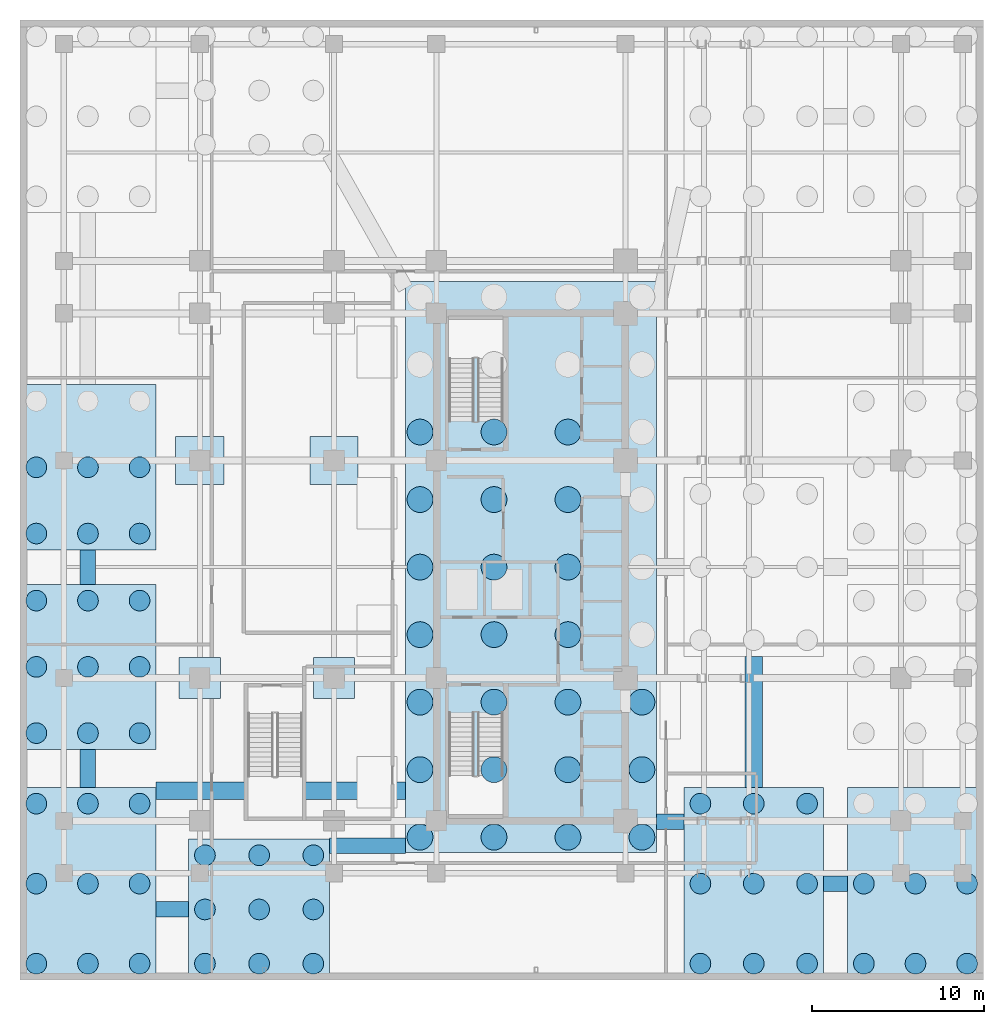
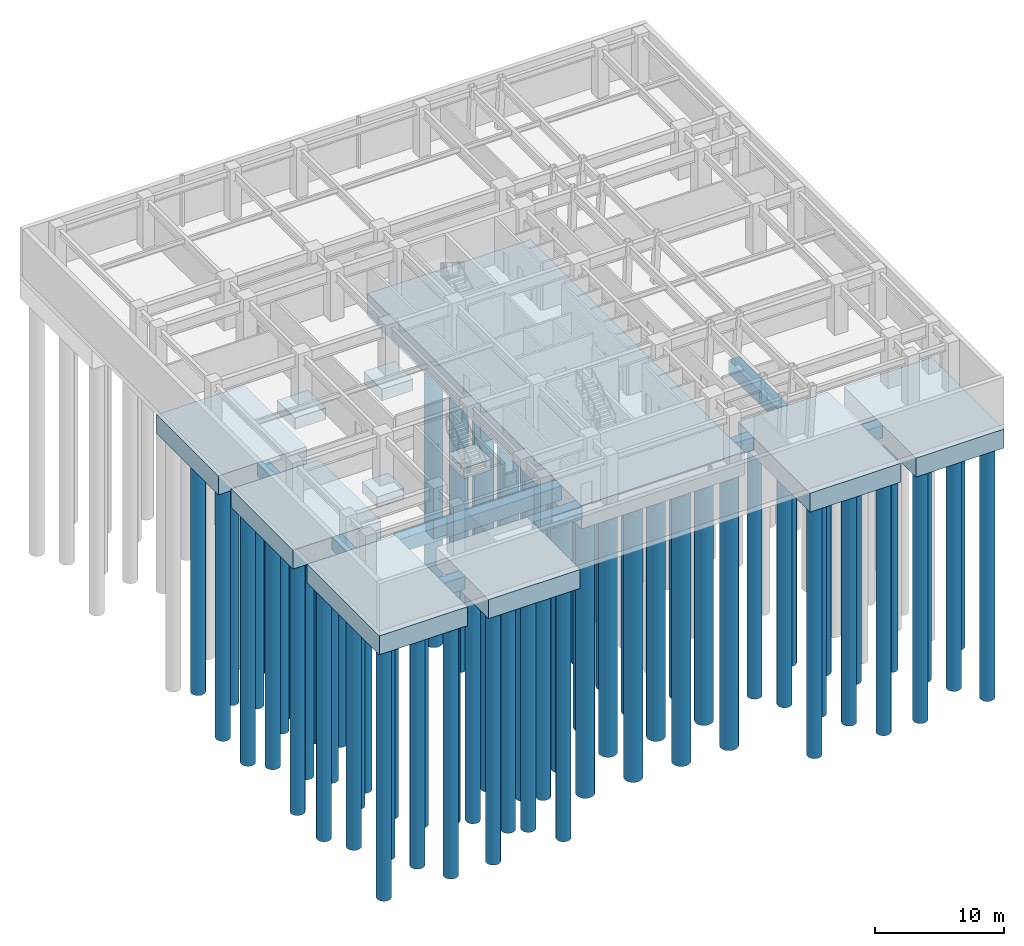
# One storey, part 1 of 13: 72 piles, 19 footings.
"""IFC4 building model written with IfcOpenShell, lengths in metres."""

import ifcopenshell
import ifcopenshell.guid

model = None  # the IFC model being written
_history = None  # IfcOwnerHistory: only IFC2X3 demands one
_inside = {}  # id of a spatial element -> (the spatial element, [elements in it])
_under = {}  # id of a project, library or spatial element -> (it, [spatial elements below it])
_declared = {}  # id of a project -> (the project, [libraries it declares])
_typed = {}  # id of a type object -> (the type object, [elements of that type])
_made_of = {}  # id of a material, layer set ... -> (it, [elements and type objects made of it])


def new_model(schema):
    """Start an empty IFC model of exactly this schema.

    Asked for "IFC4X3", IfcOpenShell would pick the latest addendum, in which some entities
    have other attributes; the version numbers below select the first issue.
    IFC2X3 requires an IfcOwnerHistory on every rooted entity: one is made here for all.
    """
    global model, _history
    if schema == "IFC4X3":
        model = ifcopenshell.file(schema_version=(4, 3, 0, 0))
    else:
        model = ifcopenshell.file(schema=schema)
    _inside.clear()
    _under.clear()
    _declared.clear()
    _typed.clear()
    _made_of.clear()
    _history = None
    if model.schema == "IFC2X3":
        org = make("IfcOrganization", Name="unknown")
        user = make(
            "IfcPersonAndOrganization",
            ThePerson=make("IfcPerson", FamilyName="unknown"),
            TheOrganization=org,
        )
        app = make(
            "IfcApplication",
            ApplicationDeveloper=org,
            Version="unknown",
            ApplicationFullName="unknown",
            ApplicationIdentifier="unknown",
        )
        _history = make(
            "IfcOwnerHistory",
            OwningUser=user,
            OwningApplication=app,
            ChangeAction="ADDED",
            CreationDate=0,
        )
    return model


def make(cls, **values):
    """One entity of the class cls with the attributes given. An attribute that is None is left unset."""
    return model.create_entity(
        cls, **{name: value for name, value in values.items() if value is not None}
    )


def rooted(cls, **values):
    """An entity with a GlobalId (a new one), such as an element, a storey or a relation."""
    return make(cls, GlobalId=ifcopenshell.guid.new(), OwnerHistory=_history, **values)


def si_unit(unit_type, name, prefix=None):
    """IfcSIUnit, for example si_unit("LENGTHUNIT", "METRE", prefix="MILLI")."""
    return make("IfcSIUnit", UnitType=unit_type, Prefix=prefix, Name=name)


def assignment(units):
    """IfcUnitAssignment: the units of a project."""
    return None if units is None else make("IfcUnitAssignment", Units=units)


def point(xyz):
    """IfcCartesianPoint."""
    return None if xyz is None else make("IfcCartesianPoint", Coordinates=xyz)


def direction(xyz):
    """IfcDirection."""
    return None if xyz is None else make("IfcDirection", DirectionRatios=xyz)


def frame(location, z_axis=None, x_axis=None):
    """IfcAxis2Placement3D, a coordinate frame: its origin and axes. An axis left out is left unset."""
    return make(
        "IfcAxis2Placement3D",
        Location=point(location),
        Axis=direction(z_axis),
        RefDirection=direction(x_axis),
    )


def frame_2d(location, x_axis=None):
    """IfcAxis2Placement2D, a coordinate frame in the plane: its origin and x axis."""
    return make(
        "IfcAxis2Placement2D", Location=point(location), RefDirection=direction(x_axis)
    )


def origin():
    """The frame at (0, 0, 0) with its axes left unset."""
    return frame((0.0, 0.0, 0.0))


def origin_2d():
    """The frame at (0, 0) in the plane with its x axis left unset."""
    return frame_2d((0.0, 0.0))


def place(relative_to, where):
    """IfcLocalPlacement: puts the frame where relative to a parent placement (None: the world)."""
    return make(
        "IfcLocalPlacement", PlacementRelTo=relative_to, RelativePlacement=where
    )


def context(
    kind, dimensions, precision=None, world=None, true_north=None, identifier=None
):
    """IfcGeometricRepresentationContext, for example the 3D "Model" context."""
    return make(
        "IfcGeometricRepresentationContext",
        ContextIdentifier=identifier,
        ContextType=kind,
        CoordinateSpaceDimension=dimensions,
        Precision=precision,
        WorldCoordinateSystem=world,
        TrueNorth=true_north,
    )


def subcontext(parent, identifier, kind, view, scale=None):
    """IfcGeometricRepresentationSubContext, for example "Body" below "Model"."""
    return make(
        "IfcGeometricRepresentationSubContext",
        ContextIdentifier=identifier,
        ContextType=kind,
        ParentContext=parent,
        TargetScale=scale,
        TargetView=view,
    )


def project(units=None, contexts=None):
    """IfcProject with its units and contexts."""
    return rooted(
        "IfcProject",
        Name="project",
        RepresentationContexts=contexts,
        UnitsInContext=assignment(units),
    )


def spatial(cls, under=None, at=None, **own):
    """A site, building, storey or space (cls), placed at a placement, below another one or the project."""
    s = rooted(cls, ObjectPlacement=at, **own)
    if under is not None:
        _under.setdefault(under.id(), (under, []))[1].append(s)
    return s


def polyline(points):
    """IfcPolyline through the points."""
    return make("IfcPolyline", Points=[point(p) for p in points])


def profile(cls, at=None, kind="AREA", **sizes):
    """A parametric profile (cls). Its sizes go by their IFC names, for example OverallWidth=200.0."""
    return make(cls, ProfileType=kind, Position=at, **sizes)


def rectangle(**sizes):
    """IfcRectangleProfileDef."""
    return profile("IfcRectangleProfileDef", **sizes)


def circle(**sizes):
    """IfcCircleProfileDef."""
    return profile("IfcCircleProfileDef", **sizes)


def outline(outer, holes=None, kind="AREA"):
    """IfcArbitraryClosedProfileDef: a profile drawn as a closed curve; with holes, ...WithVoids."""
    if holes is None:
        return make("IfcArbitraryClosedProfileDef", ProfileType=kind, OuterCurve=outer)
    return make(
        "IfcArbitraryProfileDefWithVoids",
        ProfileType=kind,
        OuterCurve=outer,
        InnerCurves=holes,
    )


def extrude(swept, where, along, depth):
    """IfcExtrudedAreaSolid: the profile swept, set in the frame where, extruded along a direction by depth."""
    return make(
        "IfcExtrudedAreaSolid",
        SweptArea=swept,
        Position=where,
        ExtrudedDirection=direction(along),
        Depth=depth,
    )


def shape(context_of_items, identifier, shape_type, items):
    """IfcShapeRepresentation: the items that make up one representation, for example the "Body"."""
    return make(
        "IfcShapeRepresentation",
        ContextOfItems=context_of_items,
        RepresentationIdentifier=identifier,
        RepresentationType=shape_type,
        Items=items,
    )


def material(Name=None, Category=None):
    """IfcMaterial."""
    return make("IfcMaterial", Name=Name, Category=Category)


def layer(
    of_material, thickness, ventilated=None, Name=None, Category=None, Priority=None
):
    """IfcMaterialLayer: one layer of a wall or slab, of a material (None: an air gap)."""
    return make(
        "IfcMaterialLayer",
        Material=of_material,
        LayerThickness=thickness,
        IsVentilated=ventilated,
        Name=Name,
        Category=Category,
        Priority=Priority,
    )


def layer_set(layers, Name=None):
    """IfcMaterialLayerSet."""
    return make("IfcMaterialLayerSet", MaterialLayers=layers, LayerSetName=Name)


def material_profile(
    of_material, cross_section, Name=None, Category=None, Priority=None
):
    """IfcMaterialProfile: a cross section and its material."""
    return make(
        "IfcMaterialProfile",
        Name=Name,
        Material=of_material,
        Profile=cross_section,
        Priority=Priority,
        Category=Category,
    )


def profile_set(profiles, Name=None, composite=None):
    """IfcMaterialProfileSet."""
    return make(
        "IfcMaterialProfileSet",
        Name=Name,
        MaterialProfiles=profiles,
        CompositeProfile=composite,
    )


def made_of(thing, what):
    """Note that an element or type object is made of a material, layer set ...; save() writes the relation."""
    if what is not None:
        _made_of.setdefault(what.id(), (what, []))[1].append(thing)
    return thing


def type_object(cls, material=None, **own):
    """A type object (cls), such as IfcWallType, which elements share."""
    return made_of(rooted(cls, **own), material)


def element(
    cls,
    number,
    at=None,
    inside=None,
    cuts=None,
    type_object=None,
    material=None,
    context=None,
    identifier="Body",
    shape_type=None,
    held_by="IfcProductDefinitionShape",
    body=None,
    shapes=None,
    **own,
):
    """One element of the class cls, such as IfcWall. Its Tag is "e" and its number.

    at: its placement. inside: the storey or other place that contains it. cuts: it is an
    opening in that element (IfcRelVoidsElement). A single representation is given by context,
    identifier, shape_type and body (its items); several are given by shapes. held_by: the class
    of the entity that holds the representations. save() writes the other relations.
    """
    e = rooted(cls, Tag="e%d" % number, ObjectPlacement=at, **own)
    if body is not None:
        shapes = [shape(context, identifier, shape_type, body)]
    if shapes is not None:
        e.Representation = make(held_by, Representations=shapes)
    if inside is not None:
        _inside.setdefault(inside.id(), (inside, []))[1].append(e)
    if cuts is not None:
        rooted(
            "IfcRelVoidsElement", RelatingBuildingElement=cuts, RelatedOpeningElement=e
        )
    if type_object is not None:
        _typed.setdefault(type_object.id(), (type_object, []))[1].append(e)
    return made_of(e, material)


def aggregate(whole, parts):
    """IfcRelAggregates: a whole, such as a stair, and the parts it consists of."""
    return rooted("IfcRelAggregates", RelatingObject=whole, RelatedObjects=parts)


def save(model, path):
    """Write the relations noted so far, then the file.

    IfcRelAggregates (storeys below a building ...), IfcRelContainedInSpatialStructure (elements
    in a storey), IfcRelDefinesByType, IfcRelAssociatesMaterial and IfcRelDeclares: one each for
    every whole, place, type object, material and project.
    """
    for whole, parts in _under.values():
        aggregate(whole, parts)
    for where, things in _inside.values():
        rooted(
            "IfcRelContainedInSpatialStructure",
            RelatedElements=things,
            RelatingStructure=where,
        )
    for kind, things in _typed.values():
        rooted("IfcRelDefinesByType", RelatedObjects=things, RelatingType=kind)
    for what, things in _made_of.values():
        rooted("IfcRelAssociatesMaterial", RelatedObjects=things, RelatingMaterial=what)
    for by, libraries in _declared.values():
        rooted("IfcRelDeclares", RelatingContext=by, RelatedDefinitions=libraries)
    model.write(path)


model = new_model("IFC4")

# Units and contexts
model_context = context("Model", 3, precision=1e-05, world=origin(), true_north=direction((0.0, 1.0)))
body_context = subcontext(model_context, "Body", "Model", "MODEL_VIEW")
ifc_project = project(units=[si_unit("LENGTHUNIT", "METRE"), si_unit("AREAUNIT", "SQUARE_METRE"), si_unit("VOLUMEUNIT", "CUBIC_METRE"), si_unit("PLANEANGLEUNIT", "RADIAN"), si_unit("MASSUNIT", "GRAM", prefix="KILO")], contexts=[model_context])

# Site, building, storey
site_placement = place(None, origin())
site = spatial("IfcSite", under=ifc_project, at=site_placement, CompositionType="ELEMENT")
building_placement = place(site_placement, origin())
building = spatial("IfcBuilding", under=site, at=building_placement, Name="Ochreholt Gables", CompositionType="ELEMENT")
storey_placement = place(building_placement, frame((0.0, 0.0, -9.60009765625)))
storey = spatial("IfcBuildingStorey", under=building, at=storey_placement, Name="B2", CompositionType="ELEMENT", Elevation=-9.60009765625)

# Footings
ifc_material_1 = material(Name="Concrete 50 MPa", Category="concrete")
ifc_material_profile_1 = material_profile(ifc_material_1, rectangle(XDim=1.0, YDim=1.300048828125, at=origin_2d()), Name="FB1000X1300")
ifc_profile_set_1 = profile_set([ifc_material_profile_1], Name="Concrete 50 MPa")
footing_type_1 = type_object("IfcFootingType", Name="FTG-BM-1000X1300", PredefinedType="FOOTING_BEAM", material=ifc_profile_set_1)
footing_1_placement = place(storey_placement, frame((42.64990234375, 11.199951171875, -1.099853515625), z_axis=(0.0, 1.0, 0.0), x_axis=(-1.0, 0.0, 0.0)))
element("IfcFooting", 1, at=footing_1_placement, inside=storey, type_object=footing_type_1, Name="Foundation Grade Beam FB-ME1", PredefinedType="FOOTING_BEAM", context=body_context, shape_type="SweptSolid", body=[
    extrude(rectangle(XDim=1.0, YDim=1.300048828125, at=origin_2d()), origin(), (0.0, 0.0, 1.0), 7.60009765625),
])
footing_2_placement = place(storey_placement, frame((7.89990234375, 11.0, -1.099853515625), z_axis=(1.0, 0.0, 0.0), x_axis=(0.0, 1.0, 0.0)))
element("IfcFooting", 2, at=footing_2_placement, inside=storey, type_object=footing_type_1, Name="Foundation Grade Beam FB-C1", PredefinedType="FOOTING_BEAM", context=body_context, shape_type="SweptSolid", body=[
    extrude(rectangle(XDim=1.0, YDim=1.300048828125, at=origin_2d()), origin(), (0.0, 0.0, 1.0), 14.5),
])
ifc_material_profile_2 = material_profile(ifc_material_1, rectangle(XDim=0.89990234375, YDim=1.199951171875, at=origin_2d()), Name="FB900X1200")
ifc_profile_set_2 = profile_set([ifc_material_profile_2], Name="Concrete 50 MPa")
footing_type_2 = type_object("IfcFootingType", Name="FTG-BM-900X1200", PredefinedType="FOOTING_BEAM", material=ifc_profile_set_2)
footing_3_placement = place(storey_placement, frame((3.949951171875, 11.199951171875, -1.0498046875), z_axis=(0.0, 1.0, 0.0), x_axis=(-1.0, 0.0, 0.0)))
element("IfcFooting", 3, at=footing_3_placement, inside=storey, type_object=footing_type_2, Name="Foundation Grade Beam FB-W1", PredefinedType="FOOTING_BEAM", context=body_context, shape_type="SweptSolid", body=[
    extrude(rectangle(XDim=0.89990234375, YDim=1.199951171875, at=origin_2d()), origin(), (0.0, 0.0, 1.0), 2.199951171875),
])
footing_4_placement = place(storey_placement, frame((3.949951171875, 23.0, -1.0498046875), z_axis=(0.0, 1.0, 0.0), x_axis=(-1.0, 0.0, 0.0)))
element("IfcFooting", 4, at=footing_4_placement, inside=storey, type_object=footing_type_2, Name="Foundation Grade Beam FB-W2", PredefinedType="FOOTING_BEAM", context=body_context, shape_type="SweptSolid", body=[
    extrude(rectangle(XDim=0.89990234375, YDim=1.199951171875, at=origin_2d()), origin(), (0.0, 0.0, 1.0), 2.0),
])
footing_5_placement = place(storey_placement, frame((7.89990234375, 4.10009765625, -1.0498046875), z_axis=(1.0, 0.0, 0.0), x_axis=(0.0, 1.0, 0.0)))
element("IfcFooting", 5, at=footing_5_placement, inside=storey, type_object=footing_type_2, Name="Foundation Grade Beam FB-S1", PredefinedType="FOOTING_BEAM", context=body_context, shape_type="SweptSolid", body=[
    extrude(rectangle(XDim=0.89990234375, YDim=1.199951171875, at=origin_2d()), origin(), (0.0, 0.0, 1.0), 1.900146484375),
])
footing_6_placement = place(storey_placement, frame((18.0, 7.800048828125, -1.0498046875), z_axis=(1.0, 0.0, 0.0), x_axis=(0.0, 1.0, 0.0)))
element("IfcFooting", 6, at=footing_6_placement, inside=storey, type_object=footing_type_2, Name="Foundation Grade Beam FB-S2", PredefinedType="FOOTING_BEAM", context=body_context, shape_type="SweptSolid", body=[
    extrude(rectangle(XDim=0.89990234375, YDim=1.199951171875, at=origin_2d()), origin(), (0.0, 0.0, 1.0), 4.39990234375),
])
footing_7_placement = place(storey_placement, frame((37.0, 9.199951171875, -1.0498046875), z_axis=(1.0, 0.0, 0.0), x_axis=(0.0, 1.0, 0.0)))
element("IfcFooting", 7, at=footing_7_placement, inside=storey, type_object=footing_type_2, Name="Foundation Grade Beam FB-S3", PredefinedType="FOOTING_BEAM", context=body_context, shape_type="SweptSolid", body=[
    extrude(rectangle(XDim=0.89990234375, YDim=1.199951171875, at=origin_2d()), origin(), (0.0, 0.0, 1.0), 1.60009765625),
])
footing_8_placement = place(storey_placement, frame((46.699951171875, 5.60009765625, -1.0498046875), z_axis=(1.0, 0.0, 0.0), x_axis=(0.0, 1.0, 0.0)))
element("IfcFooting", 8, at=footing_8_placement, inside=storey, type_object=footing_type_2, Name="Foundation Grade Beam FB-S4", PredefinedType="FOOTING_BEAM", context=body_context, shape_type="SweptSolid", body=[
    extrude(rectangle(XDim=0.89990234375, YDim=1.199951171875, at=origin_2d()), origin(), (0.0, 0.0, 1.0), 1.400146484375),
])
ifc_layer_1 = layer(ifc_material_1, 1.800048828125, Name="Concrete 50 MPa")
ifc_layer_set_1 = layer_set([ifc_layer_1], Name="Concrete 50 MPa")
footing_type_3 = type_object("IfcFootingType", Name="FTG-CAP-A", PredefinedType="PILE_CAP", material=ifc_layer_set_1)
footing_9_placement = place(storey_placement, frame((0.0, 0.0, -2.25)))
element("IfcFooting", 9, at=footing_9_placement, inside=storey, type_object=footing_type_3, Name="Perimeter Pile Cap CAP-SW", PredefinedType="PILE_CAP", context=body_context, shape_type="SweptSolid", body=[
    extrude(outline(polyline([(0.0, 0.0), (7.89990234375, 0.0), (7.89990234375, 11.199951171875), (0.0, 11.199951171875), (0.0, 0.0)])), origin(), (0.0, 0.0, 1.0), 1.800048828125),
])
footing_10_placement = place(storey_placement, frame((0.0, 0.0, -2.25)))
element("IfcFooting", 10, at=footing_10_placement, inside=storey, type_object=footing_type_3, Name="Perimeter Pile Cap CAP-W1", PredefinedType="PILE_CAP", context=body_context, shape_type="SweptSolid", body=[
    extrude(outline(polyline([(0.0, 13.39990234375), (7.89990234375, 13.39990234375), (7.89990234375, 23.0), (0.0, 23.0), (0.0, 13.39990234375)])), origin(), (0.0, 0.0, 1.0), 1.800048828125),
])
footing_11_placement = place(storey_placement, frame((0.0, 0.0, -2.25)))
element("IfcFooting", 11, at=footing_11_placement, inside=storey, type_object=footing_type_3, Name="Perimeter Pile Cap CAP-W2", PredefinedType="PILE_CAP", context=body_context, shape_type="SweptSolid", body=[
    extrude(outline(polyline([(0.0, 25.0), (7.89990234375, 25.0), (7.89990234375, 34.60009765625), (0.0, 34.60009765625), (0.0, 25.0)])), origin(), (0.0, 0.0, 1.0), 1.800048828125),
])
footing_12_placement = place(storey_placement, frame((0.0, 0.0, -2.25)))
element("IfcFooting", 12, at=footing_12_placement, inside=storey, type_object=footing_type_3, Name="Perimeter Pile Cap CAP-SE", PredefinedType="PILE_CAP", context=body_context, shape_type="SweptSolid", body=[
    extrude(outline(polyline([(48.10009765625, 0.0), (56.0, 0.0), (56.0, 11.199951171875), (48.10009765625, 11.199951171875), (48.10009765625, 0.0)])), origin(), (0.0, 0.0, 1.0), 1.800048828125),
])
ifc_layer_2 = layer(ifc_material_1, 1.800048828125, Name="Concrete 50 MPa")
ifc_layer_set_2 = layer_set([ifc_layer_2], Name="Concrete 50 MPa")
footing_type_4 = type_object("IfcFootingType", Name="FTG-CAP-B", PredefinedType="PILE_CAP", material=ifc_layer_set_2)
footing_13_placement = place(storey_placement, frame((0.0, 0.0, -2.25)))
element("IfcFooting", 13, at=footing_13_placement, inside=storey, type_object=footing_type_4, Name="Perimeter Pile Cap CAP-MSE", PredefinedType="PILE_CAP", context=body_context, shape_type="SweptSolid", body=[
    extrude(outline(polyline([(38.60009765625, 0.0), (46.699951171875, 0.0), (46.699951171875, 11.199951171875), (38.60009765625, 11.199951171875), (38.60009765625, 0.0)])), origin(), (0.0, 0.0, 1.0), 1.800048828125),
])
ifc_layer_3 = layer(ifc_material_1, 1.800048828125, Name="Concrete 50 MPa")
ifc_layer_set_3 = layer_set([ifc_layer_3], Name="Concrete 50 MPa")
footing_type_5 = type_object("IfcFootingType", Name="FTG-CAP-C", PredefinedType="PILE_CAP", material=ifc_layer_set_3)
footing_14_placement = place(storey_placement, frame((0.0, 0.0, -2.25)))
element("IfcFooting", 14, at=footing_14_placement, inside=storey, type_object=footing_type_5, Name="Perimeter Pile Cap CAP-MSW", PredefinedType="PILE_CAP", context=body_context, shape_type="SweptSolid", body=[
    extrude(outline(polyline([(9.800048828125, 0.0), (18.0, 0.0), (18.0, 8.199951171875), (9.800048828125, 8.199951171875), (9.800048828125, 0.0)])), origin(), (0.0, 0.0, 1.0), 1.800048828125),
])
ifc_material_2 = material(Name="Concrete 40 MPa", Category="concrete")
ifc_layer_4 = layer(ifc_material_2, 1.0, Name="Concrete 40 MPa")
ifc_layer_set_4 = layer_set([ifc_layer_4], Name="Concrete 40 MPa")
footing_type_6 = type_object("IfcFootingType", Name="FTG-PAD-2400", PredefinedType="PAD_FOOTING", material=ifc_layer_set_4)
footing_15_placement = place(storey_placement, frame((0.0, 0.0, -1.449951171875)))
element("IfcFooting", 15, at=footing_15_placement, inside=storey, type_object=footing_type_6, Name="Interior Pad Footing PAD-W1", PredefinedType="PAD_FOOTING", context=body_context, shape_type="SweptSolid", body=[
    extrude(outline(polyline([(9.25, 16.35009765625), (11.64990234375, 16.35009765625), (11.64990234375, 18.75), (9.25, 18.75), (9.25, 16.35009765625)])), origin(), (0.0, 0.0, 1.0), 1.0),
])
footing_16_placement = place(storey_placement, frame((0.0, 0.0, -1.449951171875)))
element("IfcFooting", 16, at=footing_16_placement, inside=storey, type_object=footing_type_6, Name="Interior Pad Footing PAD-W4", PredefinedType="PAD_FOOTING", context=body_context, shape_type="SweptSolid", body=[
    extrude(outline(polyline([(17.050048828125, 16.35009765625), (19.449951171875, 16.35009765625), (19.449951171875, 18.75), (17.050048828125, 18.75), (17.050048828125, 16.35009765625)])), origin(), (0.0, 0.0, 1.0), 1.0),
])
ifc_layer_5 = layer(ifc_material_2, 1.10009765625, Name="Concrete 40 MPa")
ifc_layer_set_5 = layer_set([ifc_layer_5], Name="Concrete 40 MPa")
footing_type_7 = type_object("IfcFootingType", Name="FTG-PAD-2800", PredefinedType="PAD_FOOTING", material=ifc_layer_set_5)
footing_17_placement = place(storey_placement, frame((0.0, 0.0, -1.5498046875)))
element("IfcFooting", 17, at=footing_17_placement, inside=storey, type_object=footing_type_7, Name="Interior Pad Footing PAD-W2", PredefinedType="PAD_FOOTING", context=body_context, shape_type="SweptSolid", body=[
    extrude(outline(polyline([(9.050048828125, 28.800048828125), (11.85009765625, 28.800048828125), (11.85009765625, 31.60009765625), (9.050048828125, 31.60009765625), (9.050048828125, 28.800048828125)])), origin(), (0.0, 0.0, 1.0), 1.099853515625),
])
footing_18_placement = place(storey_placement, frame((0.0, 0.0, -1.5498046875)))
element("IfcFooting", 18, at=footing_18_placement, inside=storey, type_object=footing_type_7, Name="Interior Pad Footing PAD-W5", PredefinedType="PAD_FOOTING", context=body_context, shape_type="SweptSolid", body=[
    extrude(outline(polyline([(16.85009765625, 28.800048828125), (19.64990234375, 28.800048828125), (19.64990234375, 31.60009765625), (16.85009765625, 31.60009765625), (16.85009765625, 28.800048828125)])), origin(), (0.0, 0.0, 1.0), 1.099853515625),
])
ifc_layer_6 = layer(ifc_material_1, 2.199951171875, Name="Concrete 50 MPa")
ifc_layer_set_6 = layer_set([ifc_layer_6], Name="Concrete 50 MPa")
footing_type_8 = type_object("IfcFootingType", Name="FTG-RAFT-2200", PredefinedType="PILE_CAP", material=ifc_layer_set_6)
footing_19_placement = place(storey_placement, frame((0.0, 0.0, -2.64990234375)))
element("IfcFooting", 19, at=footing_19_placement, inside=storey, type_object=footing_type_8, Name="Core Combined Pile Raft FC-R1", PredefinedType="PILE_CAP", context=body_context, shape_type="SweptSolid", body=[
    extrude(outline(polyline([(22.39990234375, 7.39990234375), (37.0, 7.39990234375), (37.0, 40.60009765625), (22.39990234375, 40.60009765625), (22.39990234375, 7.39990234375)])), origin(), (0.0, 0.0, 1.0), 2.199951171875),
])

# Piles
ifc_material_profile_3 = material_profile(ifc_material_1, circle(Radius=0.60009765625, at=origin_2d()), Name="PILE1200")
ifc_profile_set_3 = profile_set([ifc_material_profile_3], Name="Concrete 50 MPa")
pile_type_1 = type_object("IfcPileType", Name="PILE-1200", PredefinedType="BORED", material=ifc_profile_set_3)
pile_1_placement = place(storey_placement, frame((0.949951171875, 0.949951171875, -2.099853515625), z_axis=(0.0, 0.0, -1.0), x_axis=(1.0, 0.0, 0.0)))
element("IfcPile", 20, at=pile_1_placement, inside=storey, type_object=pile_type_1, Name="Bored Pile CAP-SW-11", PredefinedType="BORED", context=body_context, shape_type="SweptSolid", body=[
    extrude(circle(Radius=0.60009765625, at=origin_2d()), origin(), (0.0, 0.0, 1.0), 24.0),
])
pile_2_placement = place(storey_placement, frame((0.949951171875, 5.60009765625, -2.099853515625), z_axis=(0.0, 0.0, -1.0), x_axis=(1.0, 0.0, 0.0)))
element("IfcPile", 21, at=pile_2_placement, inside=storey, type_object=pile_type_1, Name="Bored Pile CAP-SW-12", PredefinedType="BORED", context=body_context, shape_type="SweptSolid", body=[
    extrude(circle(Radius=0.60009765625, at=origin_2d()), origin(), (0.0, 0.0, 1.0), 22.0),
])
pile_3_placement = place(storey_placement, frame((0.949951171875, 10.25, -2.099853515625), z_axis=(0.0, 0.0, -1.0), x_axis=(1.0, 0.0, 0.0)))
element("IfcPile", 22, at=pile_3_placement, inside=storey, type_object=pile_type_1, Name="Bored Pile CAP-SW-13", PredefinedType="BORED", context=body_context, shape_type="SweptSolid", body=[
    extrude(circle(Radius=0.60009765625, at=origin_2d()), origin(), (0.0, 0.0, 1.0), 24.0),
])
pile_4_placement = place(storey_placement, frame((3.949951171875, 0.949951171875, -2.099853515625), z_axis=(0.0, 0.0, -1.0), x_axis=(1.0, 0.0, 0.0)))
element("IfcPile", 23, at=pile_4_placement, inside=storey, type_object=pile_type_1, Name="Bored Pile CAP-SW-21", PredefinedType="BORED", context=body_context, shape_type="SweptSolid", body=[
    extrude(circle(Radius=0.60009765625, at=origin_2d()), origin(), (0.0, 0.0, 1.0), 22.0),
])
pile_5_placement = place(storey_placement, frame((3.949951171875, 5.60009765625, -2.099853515625), z_axis=(0.0, 0.0, -1.0), x_axis=(1.0, 0.0, 0.0)))
element("IfcPile", 24, at=pile_5_placement, inside=storey, type_object=pile_type_1, Name="Bored Pile CAP-SW-22", PredefinedType="BORED", context=body_context, shape_type="SweptSolid", body=[
    extrude(circle(Radius=0.60009765625, at=origin_2d()), origin(), (0.0, 0.0, 1.0), 24.0),
])
pile_6_placement = place(storey_placement, frame((3.949951171875, 10.25, -2.099853515625), z_axis=(0.0, 0.0, -1.0), x_axis=(1.0, 0.0, 0.0)))
element("IfcPile", 25, at=pile_6_placement, inside=storey, type_object=pile_type_1, Name="Bored Pile CAP-SW-23", PredefinedType="BORED", context=body_context, shape_type="SweptSolid", body=[
    extrude(circle(Radius=0.60009765625, at=origin_2d()), origin(), (0.0, 0.0, 1.0), 22.0),
])
pile_7_placement = place(storey_placement, frame((6.949951171875, 0.949951171875, -2.099853515625), z_axis=(0.0, 0.0, -1.0), x_axis=(1.0, 0.0, 0.0)))
element("IfcPile", 26, at=pile_7_placement, inside=storey, type_object=pile_type_1, Name="Bored Pile CAP-SW-31", PredefinedType="BORED", context=body_context, shape_type="SweptSolid", body=[
    extrude(circle(Radius=0.60009765625, at=origin_2d()), origin(), (0.0, 0.0, 1.0), 24.0),
])
pile_8_placement = place(storey_placement, frame((6.949951171875, 5.60009765625, -2.099853515625), z_axis=(0.0, 0.0, -1.0), x_axis=(1.0, 0.0, 0.0)))
element("IfcPile", 27, at=pile_8_placement, inside=storey, type_object=pile_type_1, Name="Bored Pile CAP-SW-32", PredefinedType="BORED", context=body_context, shape_type="SweptSolid", body=[
    extrude(circle(Radius=0.60009765625, at=origin_2d()), origin(), (0.0, 0.0, 1.0), 22.0),
])
for number, where, z_axis, x_axis, name in (
    (28, (6.949951171875, 10.25, -2.099853515625), (0.0, 0.0, -1.0), (1.0, 0.0, 0.0), "Bored Pile CAP-SW-33"),
    (29, (0.949951171875, 14.35009765625, -2.099853515625), (0.0, 0.0, -1.0), (1.0, 0.0, 0.0), "Bored Pile CAP-W1-11"),
):
    element("IfcPile", number, at=place(storey_placement, frame(where, z_axis=z_axis, x_axis=x_axis)), inside=storey, type_object=pile_type_1, Name=name, PredefinedType="BORED", context=body_context, shape_type="SweptSolid", body=[
        extrude(circle(Radius=0.60009765625, at=origin_2d()), origin(), (0.0, 0.0, 1.0), 24.0),
    ])
pile_9_placement = place(storey_placement, frame((0.949951171875, 18.199951171875, -2.099853515625), z_axis=(0.0, 0.0, -1.0), x_axis=(1.0, 0.0, 0.0)))
element("IfcPile", 30, at=pile_9_placement, inside=storey, type_object=pile_type_1, Name="Bored Pile CAP-W1-12", PredefinedType="BORED", context=body_context, shape_type="SweptSolid", body=[
    extrude(circle(Radius=0.60009765625, at=origin_2d()), origin(), (0.0, 0.0, 1.0), 22.0),
])
pile_10_placement = place(storey_placement, frame((0.949951171875, 22.050048828125, -2.099853515625), z_axis=(0.0, 0.0, -1.0), x_axis=(1.0, 0.0, 0.0)))
element("IfcPile", 31, at=pile_10_placement, inside=storey, type_object=pile_type_1, Name="Bored Pile CAP-W1-13", PredefinedType="BORED", context=body_context, shape_type="SweptSolid", body=[
    extrude(circle(Radius=0.60009765625, at=origin_2d()), origin(), (0.0, 0.0, 1.0), 24.0),
])
pile_11_placement = place(storey_placement, frame((3.949951171875, 14.35009765625, -2.099853515625), z_axis=(0.0, 0.0, -1.0), x_axis=(1.0, 0.0, 0.0)))
element("IfcPile", 32, at=pile_11_placement, inside=storey, type_object=pile_type_1, Name="Bored Pile CAP-W1-21", PredefinedType="BORED", context=body_context, shape_type="SweptSolid", body=[
    extrude(circle(Radius=0.60009765625, at=origin_2d()), origin(), (0.0, 0.0, 1.0), 22.0),
])
pile_12_placement = place(storey_placement, frame((3.949951171875, 18.199951171875, -2.099853515625), z_axis=(0.0, 0.0, -1.0), x_axis=(1.0, 0.0, 0.0)))
element("IfcPile", 33, at=pile_12_placement, inside=storey, type_object=pile_type_1, Name="Bored Pile CAP-W1-22", PredefinedType="BORED", context=body_context, shape_type="SweptSolid", body=[
    extrude(circle(Radius=0.60009765625, at=origin_2d()), origin(), (0.0, 0.0, 1.0), 24.0),
])
pile_13_placement = place(storey_placement, frame((3.949951171875, 22.050048828125, -2.099853515625), z_axis=(0.0, 0.0, -1.0), x_axis=(1.0, 0.0, 0.0)))
element("IfcPile", 34, at=pile_13_placement, inside=storey, type_object=pile_type_1, Name="Bored Pile CAP-W1-23", PredefinedType="BORED", context=body_context, shape_type="SweptSolid", body=[
    extrude(circle(Radius=0.60009765625, at=origin_2d()), origin(), (0.0, 0.0, 1.0), 22.0),
])
pile_14_placement = place(storey_placement, frame((6.949951171875, 14.35009765625, -2.099853515625), z_axis=(0.0, 0.0, -1.0), x_axis=(1.0, 0.0, 0.0)))
element("IfcPile", 35, at=pile_14_placement, inside=storey, type_object=pile_type_1, Name="Bored Pile CAP-W1-31", PredefinedType="BORED", context=body_context, shape_type="SweptSolid", body=[
    extrude(circle(Radius=0.60009765625, at=origin_2d()), origin(), (0.0, 0.0, 1.0), 24.0),
])
pile_15_placement = place(storey_placement, frame((6.949951171875, 18.199951171875, -2.099853515625), z_axis=(0.0, 0.0, -1.0), x_axis=(1.0, 0.0, 0.0)))
element("IfcPile", 36, at=pile_15_placement, inside=storey, type_object=pile_type_1, Name="Bored Pile CAP-W1-32", PredefinedType="BORED", context=body_context, shape_type="SweptSolid", body=[
    extrude(circle(Radius=0.60009765625, at=origin_2d()), origin(), (0.0, 0.0, 1.0), 22.0),
])
for number, where, z_axis, x_axis, name in (
    (37, (6.949951171875, 22.050048828125, -2.099853515625), (0.0, 0.0, -1.0), (1.0, 0.0, 0.0), "Bored Pile CAP-W1-33"),
    (38, (0.949951171875, 25.949951171875, -2.099853515625), (0.0, 0.0, -1.0), (1.0, 0.0, 0.0), "Bored Pile CAP-W2-11"),
):
    element("IfcPile", number, at=place(storey_placement, frame(where, z_axis=z_axis, x_axis=x_axis)), inside=storey, type_object=pile_type_1, Name=name, PredefinedType="BORED", context=body_context, shape_type="SweptSolid", body=[
        extrude(circle(Radius=0.60009765625, at=origin_2d()), origin(), (0.0, 0.0, 1.0), 24.0),
    ])
for number, where, z_axis, x_axis, name in (
    (39, (0.949951171875, 29.800048828125, -2.099853515625), (0.0, 0.0, -1.0), (1.0, 0.0, 0.0), "Bored Pile CAP-W2-12"),
    (40, (3.949951171875, 25.949951171875, -2.099853515625), (0.0, 0.0, -1.0), (1.0, 0.0, 0.0), "Bored Pile CAP-W2-21"),
):
    element("IfcPile", number, at=place(storey_placement, frame(where, z_axis=z_axis, x_axis=x_axis)), inside=storey, type_object=pile_type_1, Name=name, PredefinedType="BORED", context=body_context, shape_type="SweptSolid", body=[
        extrude(circle(Radius=0.60009765625, at=origin_2d()), origin(), (0.0, 0.0, 1.0), 22.0),
    ])
for number, where, z_axis, x_axis, name in (
    (41, (3.949951171875, 29.800048828125, -2.099853515625), (0.0, 0.0, -1.0), (1.0, 0.0, 0.0), "Bored Pile CAP-W2-22"),
    (42, (6.949951171875, 25.949951171875, -2.099853515625), (0.0, 0.0, -1.0), (1.0, 0.0, 0.0), "Bored Pile CAP-W2-31"),
):
    element("IfcPile", number, at=place(storey_placement, frame(where, z_axis=z_axis, x_axis=x_axis)), inside=storey, type_object=pile_type_1, Name=name, PredefinedType="BORED", context=body_context, shape_type="SweptSolid", body=[
        extrude(circle(Radius=0.60009765625, at=origin_2d()), origin(), (0.0, 0.0, 1.0), 24.0),
    ])
pile_16_placement = place(storey_placement, frame((6.949951171875, 29.800048828125, -2.099853515625), z_axis=(0.0, 0.0, -1.0), x_axis=(1.0, 0.0, 0.0)))
element("IfcPile", 43, at=pile_16_placement, inside=storey, type_object=pile_type_1, Name="Bored Pile CAP-W2-32", PredefinedType="BORED", context=body_context, shape_type="SweptSolid", body=[
    extrude(circle(Radius=0.60009765625, at=origin_2d()), origin(), (0.0, 0.0, 1.0), 22.0),
])
pile_17_placement = place(storey_placement, frame((10.75, 0.949951171875, -2.099853515625), z_axis=(0.0, 0.0, -1.0), x_axis=(1.0, 0.0, 0.0)))
element("IfcPile", 44, at=pile_17_placement, inside=storey, type_object=pile_type_1, Name="Bored Pile CAP-MSW-11", PredefinedType="BORED", context=body_context, shape_type="SweptSolid", body=[
    extrude(circle(Radius=0.60009765625, at=origin_2d()), origin(), (0.0, 0.0, 1.0), 24.0),
])
pile_18_placement = place(storey_placement, frame((10.75, 4.10009765625, -2.099853515625), z_axis=(0.0, 0.0, -1.0), x_axis=(1.0, 0.0, 0.0)))
element("IfcPile", 45, at=pile_18_placement, inside=storey, type_object=pile_type_1, Name="Bored Pile CAP-MSW-12", PredefinedType="BORED", context=body_context, shape_type="SweptSolid", body=[
    extrude(circle(Radius=0.60009765625, at=origin_2d()), origin(), (0.0, 0.0, 1.0), 22.0),
])
pile_19_placement = place(storey_placement, frame((10.75, 7.25, -2.099853515625), z_axis=(0.0, 0.0, -1.0), x_axis=(1.0, 0.0, 0.0)))
element("IfcPile", 46, at=pile_19_placement, inside=storey, type_object=pile_type_1, Name="Bored Pile CAP-MSW-13", PredefinedType="BORED", context=body_context, shape_type="SweptSolid", body=[
    extrude(circle(Radius=0.60009765625, at=origin_2d()), origin(), (0.0, 0.0, 1.0), 24.0),
])
pile_20_placement = place(storey_placement, frame((13.89990234375, 0.949951171875, -2.099853515625), z_axis=(0.0, 0.0, -1.0), x_axis=(1.0, 0.0, 0.0)))
element("IfcPile", 47, at=pile_20_placement, inside=storey, type_object=pile_type_1, Name="Bored Pile CAP-MSW-21", PredefinedType="BORED", context=body_context, shape_type="SweptSolid", body=[
    extrude(circle(Radius=0.60009765625, at=origin_2d()), origin(), (0.0, 0.0, 1.0), 22.0),
])
pile_21_placement = place(storey_placement, frame((13.89990234375, 4.10009765625, -2.099853515625), z_axis=(0.0, 0.0, -1.0), x_axis=(1.0, 0.0, 0.0)))
element("IfcPile", 48, at=pile_21_placement, inside=storey, type_object=pile_type_1, Name="Bored Pile CAP-MSW-22", PredefinedType="BORED", context=body_context, shape_type="SweptSolid", body=[
    extrude(circle(Radius=0.60009765625, at=origin_2d()), origin(), (0.0, 0.0, 1.0), 24.0),
])
pile_22_placement = place(storey_placement, frame((13.89990234375, 7.25, -2.099853515625), z_axis=(0.0, 0.0, -1.0), x_axis=(1.0, 0.0, 0.0)))
element("IfcPile", 49, at=pile_22_placement, inside=storey, type_object=pile_type_1, Name="Bored Pile CAP-MSW-23", PredefinedType="BORED", context=body_context, shape_type="SweptSolid", body=[
    extrude(circle(Radius=0.60009765625, at=origin_2d()), origin(), (0.0, 0.0, 1.0), 22.0),
])
pile_23_placement = place(storey_placement, frame((17.050048828125, 0.949951171875, -2.099853515625), z_axis=(0.0, 0.0, -1.0), x_axis=(1.0, 0.0, 0.0)))
element("IfcPile", 50, at=pile_23_placement, inside=storey, type_object=pile_type_1, Name="Bored Pile CAP-MSW-31", PredefinedType="BORED", context=body_context, shape_type="SweptSolid", body=[
    extrude(circle(Radius=0.60009765625, at=origin_2d()), origin(), (0.0, 0.0, 1.0), 24.0),
])
pile_24_placement = place(storey_placement, frame((17.050048828125, 4.10009765625, -2.099853515625), z_axis=(0.0, 0.0, -1.0), x_axis=(1.0, 0.0, 0.0)))
element("IfcPile", 51, at=pile_24_placement, inside=storey, type_object=pile_type_1, Name="Bored Pile CAP-MSW-32", PredefinedType="BORED", context=body_context, shape_type="SweptSolid", body=[
    extrude(circle(Radius=0.60009765625, at=origin_2d()), origin(), (0.0, 0.0, 1.0), 22.0),
])
for number, where, z_axis, x_axis, name in (
    (52, (17.050048828125, 7.25, -2.099853515625), (0.0, 0.0, -1.0), (1.0, 0.0, 0.0), "Bored Pile CAP-MSW-33"),
    (53, (39.550048828125, 0.949951171875, -2.099853515625), (0.0, 0.0, -1.0), (1.0, 0.0, 0.0), "Bored Pile CAP-MSE-11"),
):
    element("IfcPile", number, at=place(storey_placement, frame(where, z_axis=z_axis, x_axis=x_axis)), inside=storey, type_object=pile_type_1, Name=name, PredefinedType="BORED", context=body_context, shape_type="SweptSolid", body=[
        extrude(circle(Radius=0.60009765625, at=origin_2d()), origin(), (0.0, 0.0, 1.0), 24.0),
    ])
pile_25_placement = place(storey_placement, frame((39.550048828125, 5.60009765625, -2.099853515625), z_axis=(0.0, 0.0, -1.0), x_axis=(1.0, 0.0, 0.0)))
element("IfcPile", 54, at=pile_25_placement, inside=storey, type_object=pile_type_1, Name="Bored Pile CAP-MSE-12", PredefinedType="BORED", context=body_context, shape_type="SweptSolid", body=[
    extrude(circle(Radius=0.60009765625, at=origin_2d()), origin(), (0.0, 0.0, 1.0), 22.0),
])
pile_26_placement = place(storey_placement, frame((39.550048828125, 10.25, -2.099853515625), z_axis=(0.0, 0.0, -1.0), x_axis=(1.0, 0.0, 0.0)))
element("IfcPile", 55, at=pile_26_placement, inside=storey, type_object=pile_type_1, Name="Bored Pile CAP-MSE-13", PredefinedType="BORED", context=body_context, shape_type="SweptSolid", body=[
    extrude(circle(Radius=0.60009765625, at=origin_2d()), origin(), (0.0, 0.0, 1.0), 24.0),
])
pile_27_placement = place(storey_placement, frame((42.64990234375, 0.949951171875, -2.099853515625), z_axis=(0.0, 0.0, -1.0), x_axis=(1.0, 0.0, 0.0)))
element("IfcPile", 56, at=pile_27_placement, inside=storey, type_object=pile_type_1, Name="Bored Pile CAP-MSE-21", PredefinedType="BORED", context=body_context, shape_type="SweptSolid", body=[
    extrude(circle(Radius=0.60009765625, at=origin_2d()), origin(), (0.0, 0.0, 1.0), 22.0),
])
pile_28_placement = place(storey_placement, frame((42.64990234375, 5.60009765625, -2.099853515625), z_axis=(0.0, 0.0, -1.0), x_axis=(1.0, 0.0, 0.0)))
element("IfcPile", 57, at=pile_28_placement, inside=storey, type_object=pile_type_1, Name="Bored Pile CAP-MSE-22", PredefinedType="BORED", context=body_context, shape_type="SweptSolid", body=[
    extrude(circle(Radius=0.60009765625, at=origin_2d()), origin(), (0.0, 0.0, 1.0), 24.0),
])
pile_29_placement = place(storey_placement, frame((42.64990234375, 10.25, -2.099853515625), z_axis=(0.0, 0.0, -1.0), x_axis=(1.0, 0.0, 0.0)))
element("IfcPile", 58, at=pile_29_placement, inside=storey, type_object=pile_type_1, Name="Bored Pile CAP-MSE-23", PredefinedType="BORED", context=body_context, shape_type="SweptSolid", body=[
    extrude(circle(Radius=0.60009765625, at=origin_2d()), origin(), (0.0, 0.0, 1.0), 22.0),
])
pile_30_placement = place(storey_placement, frame((45.75, 0.949951171875, -2.099853515625), z_axis=(0.0, 0.0, -1.0), x_axis=(1.0, 0.0, 0.0)))
element("IfcPile", 59, at=pile_30_placement, inside=storey, type_object=pile_type_1, Name="Bored Pile CAP-MSE-31", PredefinedType="BORED", context=body_context, shape_type="SweptSolid", body=[
    extrude(circle(Radius=0.60009765625, at=origin_2d()), origin(), (0.0, 0.0, 1.0), 24.0),
])
pile_31_placement = place(storey_placement, frame((45.75, 5.60009765625, -2.099853515625), z_axis=(0.0, 0.0, -1.0), x_axis=(1.0, 0.0, 0.0)))
element("IfcPile", 60, at=pile_31_placement, inside=storey, type_object=pile_type_1, Name="Bored Pile CAP-MSE-32", PredefinedType="BORED", context=body_context, shape_type="SweptSolid", body=[
    extrude(circle(Radius=0.60009765625, at=origin_2d()), origin(), (0.0, 0.0, 1.0), 22.0),
])
for number, where, z_axis, x_axis, name in (
    (61, (45.75, 10.25, -2.099853515625), (0.0, 0.0, -1.0), (1.0, 0.0, 0.0), "Bored Pile CAP-MSE-33"),
    (62, (49.050048828125, 0.949951171875, -2.099853515625), (0.0, 0.0, -1.0), (1.0, 0.0, 0.0), "Bored Pile CAP-SE-11"),
):
    element("IfcPile", number, at=place(storey_placement, frame(where, z_axis=z_axis, x_axis=x_axis)), inside=storey, type_object=pile_type_1, Name=name, PredefinedType="BORED", context=body_context, shape_type="SweptSolid", body=[
        extrude(circle(Radius=0.60009765625, at=origin_2d()), origin(), (0.0, 0.0, 1.0), 24.0),
    ])
for number, where, z_axis, x_axis, name in (
    (63, (49.050048828125, 5.60009765625, -2.099853515625), (0.0, 0.0, -1.0), (1.0, 0.0, 0.0), "Bored Pile CAP-SE-12"),
    (64, (52.050048828125, 0.949951171875, -2.099853515625), (0.0, 0.0, -1.0), (1.0, 0.0, 0.0), "Bored Pile CAP-SE-21"),
):
    element("IfcPile", number, at=place(storey_placement, frame(where, z_axis=z_axis, x_axis=x_axis)), inside=storey, type_object=pile_type_1, Name=name, PredefinedType="BORED", context=body_context, shape_type="SweptSolid", body=[
        extrude(circle(Radius=0.60009765625, at=origin_2d()), origin(), (0.0, 0.0, 1.0), 22.0),
    ])
for number, where, z_axis, x_axis, name in (
    (65, (52.050048828125, 5.60009765625, -2.099853515625), (0.0, 0.0, -1.0), (1.0, 0.0, 0.0), "Bored Pile CAP-SE-22"),
    (66, (55.050048828125, 0.949951171875, -2.099853515625), (0.0, 0.0, -1.0), (1.0, 0.0, 0.0), "Bored Pile CAP-SE-31"),
):
    element("IfcPile", number, at=place(storey_placement, frame(where, z_axis=z_axis, x_axis=x_axis)), inside=storey, type_object=pile_type_1, Name=name, PredefinedType="BORED", context=body_context, shape_type="SweptSolid", body=[
        extrude(circle(Radius=0.60009765625, at=origin_2d()), origin(), (0.0, 0.0, 1.0), 24.0),
    ])
pile_32_placement = place(storey_placement, frame((55.050048828125, 5.60009765625, -2.099853515625), z_axis=(0.0, 0.0, -1.0), x_axis=(1.0, 0.0, 0.0)))
element("IfcPile", 67, at=pile_32_placement, inside=storey, type_object=pile_type_1, Name="Bored Pile CAP-SE-32", PredefinedType="BORED", context=body_context, shape_type="SweptSolid", body=[
    extrude(circle(Radius=0.60009765625, at=origin_2d()), origin(), (0.0, 0.0, 1.0), 22.0),
])
ifc_material_profile_4 = material_profile(ifc_material_1, circle(Radius=0.75, at=origin_2d()), Name="PILE1500")
ifc_profile_set_4 = profile_set([ifc_material_profile_4], Name="Concrete 50 MPa")
pile_type_2 = type_object("IfcPileType", Name="PILE-1500", PredefinedType="BORED", material=ifc_profile_set_4)
for number, where, z_axis, x_axis, name in (
    (68, (23.25, 8.300048828125, -2.5), (0.0, 0.0, -1.0), (1.0, 0.0, 0.0), "Core Bored Pile CR-01-01"),
    (69, (23.25, 12.22509765625, -2.5), (0.0, 0.0, -1.0), (1.0, 0.0, 0.0), "Core Bored Pile CR-01-02"),
    (70, (23.25, 16.14990234375, -2.5), (0.0, 0.0, -1.0), (1.0, 0.0, 0.0), "Core Bored Pile CR-01-03"),
    (71, (23.25, 20.074951171875, -2.5), (0.0, 0.0, -1.0), (1.0, 0.0, 0.0), "Core Bored Pile CR-01-04"),
    (72, (23.25, 24.0, -2.5), (0.0, 0.0, -1.0), (1.0, 0.0, 0.0), "Core Bored Pile CR-01-05"),
    (73, (23.25, 27.925048828125, -2.5), (0.0, 0.0, -1.0), (1.0, 0.0, 0.0), "Core Bored Pile CR-01-06"),
    (74, (23.25, 31.85009765625, -2.5), (0.0, 0.0, -1.0), (1.0, 0.0, 0.0), "Core Bored Pile CR-01-07"),
    (75, (27.550048828125, 8.300048828125, -2.5), (0.0, 0.0, -1.0), (1.0, 0.0, 0.0), "Core Bored Pile CR-02-01"),
    (76, (27.550048828125, 12.22509765625, -2.5), (0.0, 0.0, -1.0), (1.0, 0.0, 0.0), "Core Bored Pile CR-02-02"),
    (77, (27.550048828125, 16.14990234375, -2.5), (0.0, 0.0, -1.0), (1.0, 0.0, 0.0), "Core Bored Pile CR-02-03"),
    (78, (27.550048828125, 20.074951171875, -2.5), (0.0, 0.0, -1.0), (1.0, 0.0, 0.0), "Core Bored Pile CR-02-04"),
    (79, (27.550048828125, 24.0, -2.5), (0.0, 0.0, -1.0), (1.0, 0.0, 0.0), "Core Bored Pile CR-02-05"),
    (80, (27.550048828125, 27.925048828125, -2.5), (0.0, 0.0, -1.0), (1.0, 0.0, 0.0), "Core Bored Pile CR-02-06"),
    (81, (27.550048828125, 31.85009765625, -2.5), (0.0, 0.0, -1.0), (1.0, 0.0, 0.0), "Core Bored Pile CR-02-07"),
    (82, (31.85009765625, 8.300048828125, -2.5), (0.0, 0.0, -1.0), (1.0, 0.0, 0.0), "Core Bored Pile CR-03-01"),
    (83, (31.85009765625, 12.22509765625, -2.5), (0.0, 0.0, -1.0), (1.0, 0.0, 0.0), "Core Bored Pile CR-03-02"),
    (84, (31.85009765625, 16.14990234375, -2.5), (0.0, 0.0, -1.0), (1.0, 0.0, 0.0), "Core Bored Pile CR-03-03"),
    (85, (31.85009765625, 20.074951171875, -2.5), (0.0, 0.0, -1.0), (1.0, 0.0, 0.0), "Core Bored Pile CR-03-04"),
    (86, (31.85009765625, 24.0, -2.5), (0.0, 0.0, -1.0), (1.0, 0.0, 0.0), "Core Bored Pile CR-03-05"),
    (87, (31.85009765625, 27.925048828125, -2.5), (0.0, 0.0, -1.0), (1.0, 0.0, 0.0), "Core Bored Pile CR-03-06"),
    (88, (31.85009765625, 31.85009765625, -2.5), (0.0, 0.0, -1.0), (1.0, 0.0, 0.0), "Core Bored Pile CR-03-07"),
    (89, (36.14990234375, 8.300048828125, -2.5), (0.0, 0.0, -1.0), (1.0, 0.0, 0.0), "Core Bored Pile CR-04-01"),
    (90, (36.14990234375, 12.22509765625, -2.5), (0.0, 0.0, -1.0), (1.0, 0.0, 0.0), "Core Bored Pile CR-04-02"),
    (91, (36.14990234375, 16.14990234375, -2.5), (0.0, 0.0, -1.0), (1.0, 0.0, 0.0), "Core Bored Pile CR-04-03"),
):
    element("IfcPile", number, at=place(storey_placement, frame(where, z_axis=z_axis, x_axis=x_axis)), inside=storey, type_object=pile_type_2, Name=name, PredefinedType="BORED", context=body_context, shape_type="SweptSolid", body=[
        extrude(circle(Radius=0.75, at=origin_2d()), origin(), (0.0, 0.0, 1.0), 26.0),
    ])

save(model, "model.ifc")
